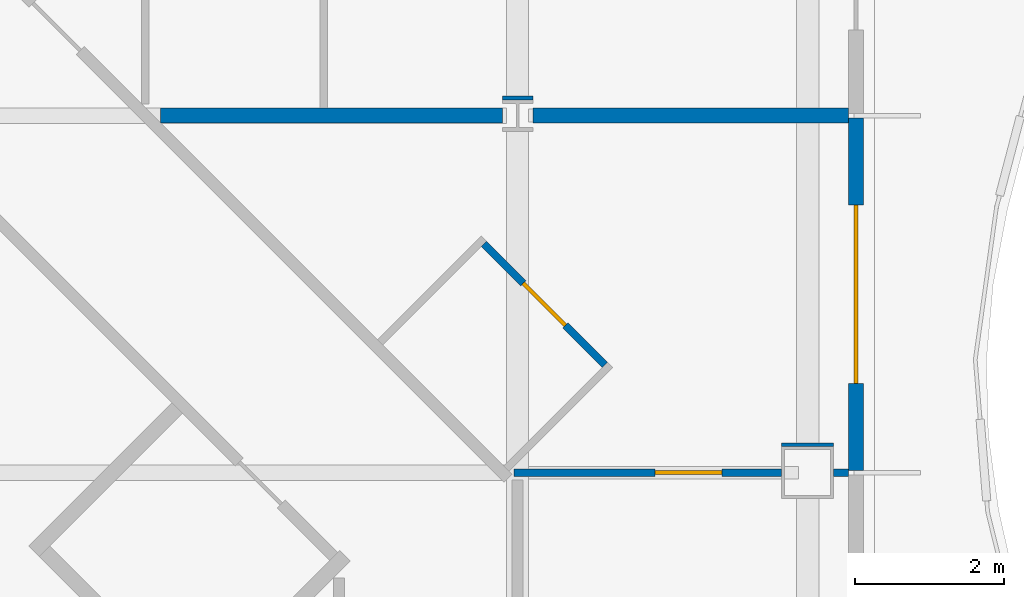
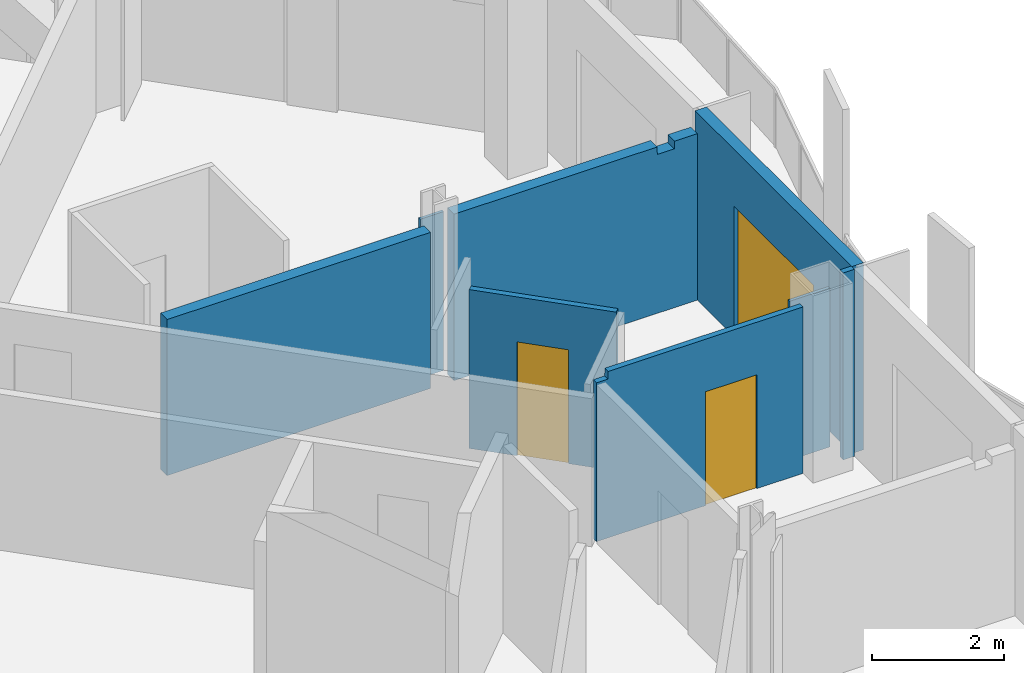
# One storey, part 11 of 21: 8 walls, 3 doors, 3 openings.
"""IFC4 building model written with IfcOpenShell, lengths in metres."""

from ifc_helpers import new_model, si_unit, direction, frame, frame_2d, origin, place, context, subcontext, project, spatial, polyline, rectangle, outline, extrude, material, layer, layer_set, type_object, element, fill, save


model = new_model("IFC4")

# Units and contexts
model_context = context("Model", 3, precision=1e-05, world=origin(), true_north=direction((0.0, 1.0)))
body_context = subcontext(model_context, "Body", "Model", "MODEL_VIEW")
ifc_project = project(units=[si_unit("LENGTHUNIT", "METRE"), si_unit("AREAUNIT", "SQUARE_METRE"), si_unit("VOLUMEUNIT", "CUBIC_METRE"), si_unit("PLANEANGLEUNIT", "RADIAN"), si_unit("MASSUNIT", "GRAM", prefix="KILO")], contexts=[model_context])

# Site, building, storey
site_placement = place(None, origin())
site = spatial("IfcSite", under=ifc_project, at=site_placement, CompositionType="ELEMENT")
building_placement = place(site_placement, origin())
building = spatial("IfcBuilding", under=site, at=building_placement, Name="Cairn Pilgrim Tower", CompositionType="ELEMENT")
storey_placement = place(building_placement, frame((0.0, 0.0, 132.60009765625)))
storey = spatial("IfcBuildingStorey", under=building, at=storey_placement, Name="L32", CompositionType="ELEMENT", Elevation=132.60009765625)

# Wall, opening, door
ifc_material_1 = material(Name="Bronze anodised aluminium insulated sandwich panel with mineral wool fill", Category="aluminium")
ifc_layer_1 = layer(ifc_material_1, 0.199951171875)
ifc_layer_set_1 = layer_set([ifc_layer_1], Name="BRONZE INFILL FRAME WALL 200")
wall_type_1 = type_object("IfcWallType", Name="BRONZE INFILL FRAME WALL 200", PredefinedType="NOTDEFINED", material=ifc_layer_set_1)
wall_1_placement = place(storey_placement, frame((35.75, 4.830078125, 0.0), z_axis=(0.0, 0.0, 1.0), x_axis=(0.0, 1.0, 0.0)))
wall_1 = element("IfcWall", 1, at=wall_1_placement, inside=storey, type_object=wall_type_1, Name="Bronze infill frame wall IW-E3", PredefinedType="NOTDEFINED", context=body_context, shape_type="SweptSolid", body=[
    extrude(rectangle(XDim=4.739990234375, YDim=0.199951171875, at=frame_2d((2.3701171875, 0.0))), origin(), (0.0, 0.0, 1.0), 3.449951171875),
])
opening_1_placement = place(wall_1_placement, frame((1.169921875, 0.0, 0.0)))
opening_1 = element("IfcOpeningElement", 2, at=opening_1_placement, cuts=wall_1, Name="Opening 3205SB", PredefinedType="OPENING", context=body_context, shape_type="SweptSolid", body=[
    extrude(rectangle(XDim=2.39990234375, YDim=2.39990234375, at=frame_2d((1.199951171875, 1.199951171875))), frame((0.0, 0.10986328125, 0.0), z_axis=(0.0, -1.0, 0.0), x_axis=(1.0, 0.0, 0.0)), (0.0, 0.0, 1.0), 0.219970703125),
])
ifc_material_2 = material(Name="Bronze anodised aluminium frame with tinted low-E glass", Category="aluminium")
door_type_1 = type_object("IfcDoorType", Name="BALCONY SLIDING DOOR 2400x2400", OperationType="DOUBLE_DOOR_SLIDING", PredefinedType="DOOR", material=ifc_material_2)
door_1_placement = place(opening_1_placement, origin())
door_1 = element("IfcDoor", 3, at=door_1_placement, inside=storey, type_object=door_type_1, Name="Balcony sliding door 3205SB", OperationType="SINGLE_SWING_LEFT", OverallHeight=2.39990234375, OverallWidth=2.39990234375, PredefinedType="DOOR", context=body_context, shape_type="SweptSolid", body=[
    extrude(rectangle(XDim=2.39990234375, YDim=2.39990234375, at=frame_2d((1.199951171875, 1.199951171875))), frame((0.0, 0.02490234375, 0.0), z_axis=(0.0, -1.0, 0.0), x_axis=(1.0, 0.0, 0.0)), (0.0, 0.0, 1.0), 0.050048828125),
])
fill(opening_1, door_1)

ifc_material_3 = material(Name="Gypsum partition")
ifc_layer_2 = layer(ifc_material_3, 0.10009765625)
ifc_layer_set_2 = layer_set([ifc_layer_2], Name="PARTITION 100 DRYWALL")
wall_type_2 = type_object("IfcWallType", Name="PARTITION 100 DRYWALL", PredefinedType="PARTITIONING", material=ifc_layer_set_2)
wall_2_placement = place(storey_placement, frame((31.150146484375, 4.800048828125, 0.0), z_axis=(0.0, 0.0, 1.0), x_axis=(1.0, 0.0, 0.0)))
wall_2 = element("IfcWall", 4, at=wall_2_placement, inside=storey, type_object=wall_type_2, Name="PARTITION W053", PredefinedType="PARTITIONING", context=body_context, shape_type="SweptSolid", body=[
    extrude(outline(polyline([(0.0, 0.0), (3.599853515625, 0.0), (3.599853515625, 3.06982421875), (0.199951171875, 3.06982421875), (0.197998046875, 2.929931640625), (0.0, 2.929931640625), (0.0, 0.0)])), frame((0.0, 0.050048828125, 0.0), z_axis=(0.0, -1.0, 0.0), x_axis=(1.0, 0.0, 0.0)), (0.0, 0.0, 1.0), 0.10009765625),
])
opening_2_placement = place(wall_2_placement, frame((1.89697265625, 0.0, 0.0)))
opening_2 = element("IfcOpeningElement", 5, at=opening_2_placement, cuts=wall_2, Name="Opening 3205C", PredefinedType="OPENING", context=body_context, shape_type="SweptSolid", body=[
    extrude(rectangle(XDim=0.89990234375, YDim=2.10009765625, at=frame_2d((0.449951171875, 1.050048828125))), frame((0.0, 0.06005859375, 0.0), z_axis=(0.0, -1.0, 0.0), x_axis=(1.0, 0.0, 0.0)), (0.0, 0.0, 1.0), 0.1201171875),
])
ifc_material_4 = material(Name="Timber door leaf", Category="wood")
door_type_2 = type_object("IfcDoorType", Name="SERVICE DOOR 900x2100", OperationType="NOTDEFINED", PredefinedType="DOOR", material=ifc_material_4)
door_2_placement = place(opening_2_placement, frame((0.89990234375, 0.0, 0.0), z_axis=(0.0, 0.0, 1.0), x_axis=(-1.0, 0.0, 0.0)))
door_2 = element("IfcDoor", 6, at=door_2_placement, inside=storey, type_object=door_type_2, Name="DOOR 3205C", OperationType="SINGLE_SWING_LEFT", OverallHeight=2.10009765625, OverallWidth=0.89990234375, PredefinedType="DOOR", context=body_context, shape_type="SweptSolid", body=[
    extrude(rectangle(XDim=0.89990234375, YDim=2.10009765625, at=frame_2d((0.449951171875, 1.050048828125))), frame((0.0, 0.02490234375, 0.0), z_axis=(0.0, -1.0, 0.0), x_axis=(1.0, 0.0, 0.0)), (0.0, 0.0, 1.0), 0.050048828125),
])
fill(opening_2, door_2)

# Wall
wall_3_placement = place(storey_placement, frame((35.449951171875, 4.800048828125, 0.0), z_axis=(0.0, 0.0, 1.0), x_axis=(1.0, 0.0, 0.0)))
element("IfcWall", 7, at=wall_3_placement, inside=storey, type_object=wall_type_2, Name="PARTITION W054", PredefinedType="PARTITIONING", context=body_context, shape_type="SweptSolid", body=[
    extrude(rectangle(XDim=0.199951171875, YDim=0.10009765625, at=frame_2d((0.10009765625, 0.0))), origin(), (0.0, 0.0, 1.0), 3.449951171875),
])

# Wall, opening, door
wall_4_placement = place(storey_placement, frame((32.37255859375, 6.24951171875, 0.0), z_axis=(0.0, 0.0, 1.0), x_axis=(-0.707159861304, 0.707053697085, 0.0)))
wall_4 = element("IfcWall", 8, at=wall_4_placement, inside=storey, type_object=wall_type_2, Name="PARTITION W058", PredefinedType="PARTITIONING", context=body_context, shape_type="SweptSolid", body=[
    extrude(rectangle(XDim=2.299560546875, YDim=0.10009765625, at=frame_2d((1.14990234375, 0.0))), origin(), (0.0, 0.0, 1.0), 2.929931640625),
])
opening_3_placement = place(wall_4_placement, frame((0.75, 0.0, 0.0)))
opening_3 = element("IfcOpeningElement", 9, at=opening_3_placement, cuts=wall_4, Name="Opening 3205A", PredefinedType="OPENING", context=body_context, shape_type="SweptSolid", body=[
    extrude(rectangle(XDim=0.800048828125, YDim=2.10009765625, at=frame_2d((0.39990234375, 1.050048828125))), frame((0.0, 0.06005859375, 0.0), z_axis=(0.0, -1.0, 0.0), x_axis=(1.0, 0.0, 0.0)), (0.0, 0.0, 1.0), 0.1201171875),
])
door_type_3 = type_object("IfcDoorType", Name="WC DOOR 800x2100", OperationType="NOTDEFINED", PredefinedType="DOOR", material=ifc_material_4)
door_3_placement = place(opening_3_placement, frame((0.800048828125, 0.0, 0.0), z_axis=(0.0, 0.0, 1.0), x_axis=(-1.0, 0.0, 0.0)))
door_3 = element("IfcDoor", 10, at=door_3_placement, inside=storey, type_object=door_type_3, Name="DOOR 3205A", OperationType="SINGLE_SWING_LEFT", OverallHeight=2.10009765625, OverallWidth=0.800048828125, PredefinedType="DOOR", context=body_context, shape_type="SweptSolid", body=[
    extrude(rectangle(XDim=0.800048828125, YDim=2.10009765625, at=frame_2d((0.39990234375, 1.050048828125))), frame((0.0, 0.02490234375, 0.0), z_axis=(0.0, -1.0, 0.0), x_axis=(1.0, 0.0, 0.0)), (0.0, 0.0, 1.0), 0.050048828125),
])
fill(opening_3, door_3)

# Walls
ifc_layer_3 = layer(ifc_material_3, 0.050048828125)
ifc_layer_set_3 = layer_set([ifc_layer_3], Name="PARTITION 50 DRYWALL")
wall_type_3 = type_object("IfcWallType", Name="PARTITION 50 DRYWALL", PredefinedType="PARTITIONING", material=ifc_layer_set_3)
wall_5_placement = place(storey_placement, frame((34.75, 5.175048828125, 0.0), z_axis=(0.0, 0.0, 1.0), x_axis=(1.0, 0.0, 0.0)))
element("IfcWall", 11, at=wall_5_placement, inside=storey, type_object=wall_type_3, Name="COLUMN CASING WC26", PredefinedType="PARTITIONING", context=body_context, shape_type="SweptSolid", body=[
    extrude(rectangle(XDim=0.699951171875, YDim=0.050048828125, at=frame_2d((0.35009765625, 0.0))), origin(), (0.0, 0.0, 1.0), 2.929931640625),
])
ifc_layer_4 = layer(ifc_material_3, 0.050048828125)
ifc_layer_set_4 = layer_set([ifc_layer_4], Name="PARTITION 50 DRYWALL EI 60")
wall_type_4 = type_object("IfcWallType", Name="PARTITION 50 DRYWALL EI 60", PredefinedType="PARTITIONING", material=ifc_layer_set_4)
wall_6_placement = place(storey_placement, frame((30.99560546875, 9.83740234375, 0.0), z_axis=(0.0, 0.0, 1.0), x_axis=(1.0, 0.0, 0.0)))
element("IfcWall", 12, at=wall_6_placement, inside=storey, type_object=wall_type_4, Name="COLUMN CASING WC29", PredefinedType="PARTITIONING", context=body_context, shape_type="SweptSolid", body=[
    extrude(rectangle(XDim=0.408935546875, YDim=0.050048828125, at=frame_2d((0.20458984375, 0.0))), origin(), (0.0, 0.0, 1.0), 2.929931640625),
])
ifc_layer_5 = layer(ifc_material_3, 0.199951171875)
ifc_layer_set_5 = layer_set([ifc_layer_5], Name="SHAFT WALL 200 GYPSUM EI 60")
wall_type_5 = type_object("IfcWallType", Name="SHAFT WALL 200 GYPSUM EI 60", PredefinedType="PARTITIONING", material=ifc_layer_set_5)
wall_7_placement = place(storey_placement, frame((26.400146484375, 9.60009765625, 0.0), z_axis=(0.0, 0.0, 1.0), x_axis=(1.0, 0.0, 0.0)))
element("IfcWall", 13, at=wall_7_placement, inside=storey, type_object=wall_type_5, Name="PARTITION W064", PredefinedType="PARTITIONING", context=body_context, shape_type="SweptSolid", body=[
    extrude(rectangle(XDim=4.595458984375, YDim=0.199951171875, at=frame_2d((2.2978515625, 0.0))), origin(), (0.0, 0.0, 1.0), 2.8798828125),
])
wall_8_placement = place(storey_placement, frame((31.404541015625, 9.60009765625, 0.0), z_axis=(0.0, 0.0, 1.0), x_axis=(1.0, 0.0, 0.0)))
element("IfcWall", 14, at=wall_8_placement, inside=storey, type_object=wall_type_5, Name="PARTITION W065", PredefinedType="PARTITIONING", context=body_context, shape_type="SweptSolid", body=[
    extrude(outline(polyline([(0.0, 0.0), (4.245361328125, 0.0), (4.24560546875, 3.06982421875), (3.845458984375, 3.06982421875), (3.843505859375, 2.929931640625), (3.54541015625, 2.929931640625), (3.54345703125, 3.06982421875), (0.0, 3.06982421875), (0.0, 0.0)])), frame((0.0, 0.10009765625, 0.0), z_axis=(0.0, -1.0, 0.0), x_axis=(1.0, 0.0, 0.0)), (0.0, 0.0, 1.0), 0.199951171875),
])

save(model, "model.ifc")
